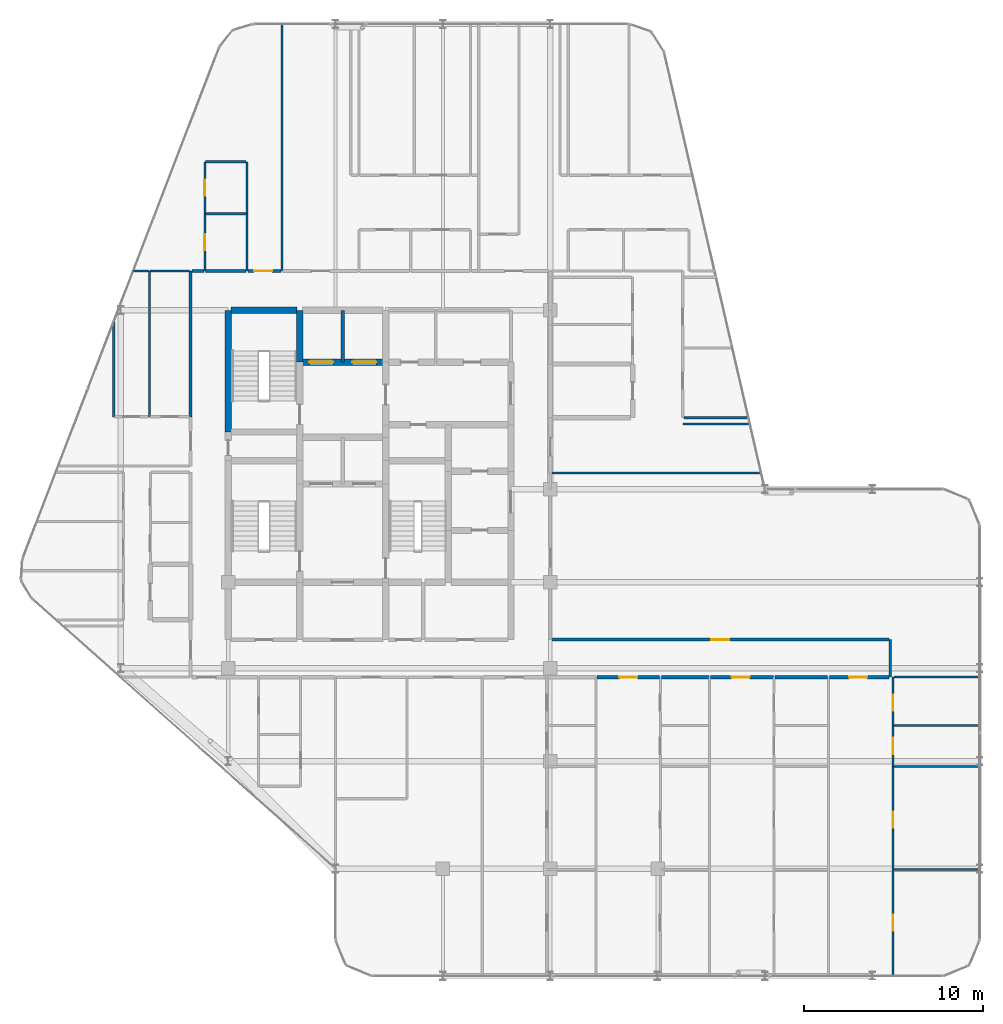
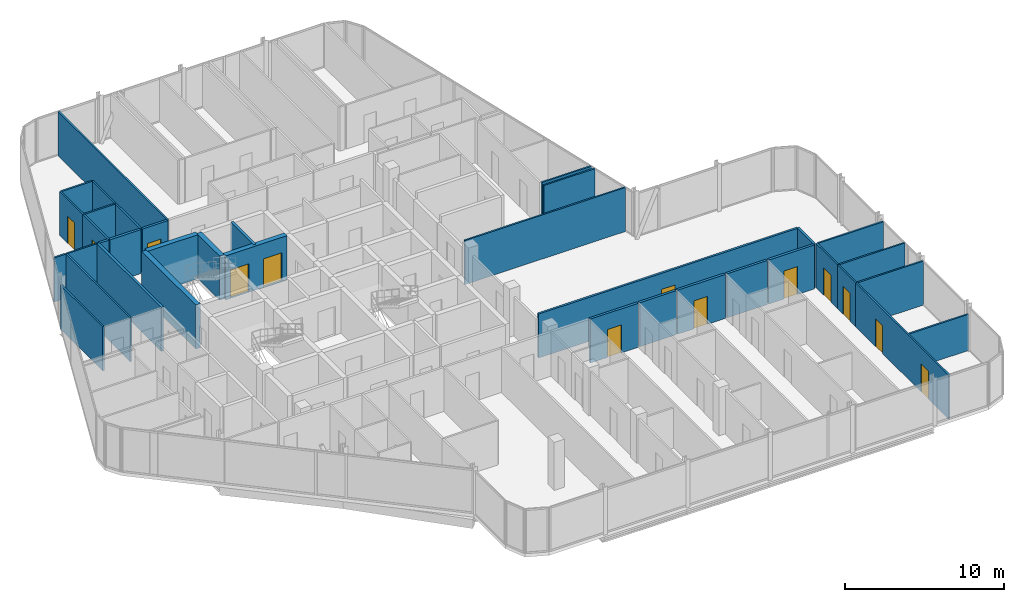
# One storey, part 26 of 29: 37 walls, 13 doors, 13 openings.
"""IFC4 building model written with IfcOpenShell, lengths in metres."""

from ifc_helpers import new_model, si_unit, direction, frame, frame_2d, origin, place, context, subcontext, project, spatial, rectangle, extrude, material, layer, layer_set, type_object, element, fill, save


model = new_model("IFC4")

# Units and contexts
model_context = context("Model", 3, precision=1e-05, world=origin(), true_north=direction((0.0, 1.0)))
body_context = subcontext(model_context, "Body", "Model", "MODEL_VIEW")
ifc_project = project(units=[si_unit("LENGTHUNIT", "METRE"), si_unit("AREAUNIT", "SQUARE_METRE"), si_unit("VOLUMEUNIT", "CUBIC_METRE"), si_unit("PLANEANGLEUNIT", "RADIAN"), si_unit("MASSUNIT", "GRAM", prefix="KILO")], contexts=[model_context])

# Site, building, storey
site_placement = place(None, origin())
site = spatial("IfcSite", under=ifc_project, at=site_placement, CompositionType="ELEMENT")
building_placement = place(site_placement, origin())
building = spatial("IfcBuilding", under=site, at=building_placement, Name="Keshet Zoharim Tower", CompositionType="ELEMENT")
storey_placement = place(building_placement, frame((0.0, 0.0, 222.800048828125)))
storey = spatial("IfcBuildingStorey", under=building, at=storey_placement, Name="L55", CompositionType="ELEMENT", Elevation=222.800048828125)

# Wall
ifc_material_1 = material(Name="Gypsum Plasterboard", Category="gypsum")
ifc_layer_1 = layer(ifc_material_1, 0.14990234375)
ifc_layer_set_1 = layer_set([ifc_layer_1], Name="Gypsum Plasterboard")
wall_type_1 = type_object("IfcWallType", Name="WL-CLIN-150", PredefinedType="STANDARD", material=ifc_layer_set_1)
wall_1_placement = place(storey_placement, frame((52.0, 17.409912109375, 0.0), z_axis=(0.0, 0.0, 1.0), x_axis=(0.0, 1.0, 0.0)))
element("IfcWall", 1, at=wall_1_placement, inside=storey, type_object=wall_type_1, Name="L55 Interior Wall 101", PredefinedType="STANDARD", context=body_context, shape_type="SweptSolid", body=[
    extrude(rectangle(XDim=2.090087890625, YDim=0.14990234375, at=frame_2d((1.044921875, 0.0))), origin(), (0.0, 0.0, 1.0), 3.389892578125),
])

# Wall, opening, door
wall_2_placement = place(storey_placement, frame((33.070068359375, 19.5, 0.0), z_axis=(0.0, 0.0, 1.0), x_axis=(1.0, 0.0, 0.0)))
wall_2 = element("IfcWall", 2, at=wall_2_placement, inside=storey, type_object=wall_type_1, Name="L55 Interior Wall 138", PredefinedType="STANDARD", context=body_context, shape_type="SweptSolid", body=[
    extrude(rectangle(XDim=18.869873046875, YDim=0.14990234375, at=frame_2d((9.43505859375, 0.0))), origin(), (0.0, 0.0, 1.0), 3.389892578125),
])
opening_1_placement = place(wall_2_placement, frame((8.93505859375, 0.0, 0.0)))
opening_1 = element("IfcOpeningElement", 3, at=opening_1_placement, cuts=wall_2, Name="Opening D-F310", PredefinedType="OPENING", context=body_context, shape_type="SweptSolid", body=[
    extrude(rectangle(XDim=1.0, YDim=2.14990234375, at=frame_2d((0.5, 1.074951171875))), frame((0.0, 0.0849609375, 0.0), z_axis=(0.0, -1.0, 0.0), x_axis=(1.0, 0.0, 0.0)), (0.0, 0.0, 1.0), 0.169921875),
])
ifc_material_2 = material(Name="Hardwood Timber", Category="wood")
door_type_1 = type_object("IfcDoorType", Name="DR-FD30-100", OperationType="NOTDEFINED", PredefinedType="DOOR", material=ifc_material_2)
door_1_placement = place(opening_1_placement, origin())
door_1 = element("IfcDoor", 4, at=door_1_placement, inside=storey, type_object=door_type_1, Name="L55 South East Residents Services Suite Door 1", OperationType="SINGLE_SWING_LEFT", OverallHeight=2.14990234375, OverallWidth=1.0, PredefinedType="DOOR", context=body_context, shape_type="SweptSolid", body=[
    extrude(rectangle(XDim=1.0, YDim=2.14990234375, at=frame_2d((0.5, 1.074951171875))), frame((0.0, 0.02490234375, 0.0), z_axis=(0.0, -1.0, 0.0), x_axis=(1.0, 0.0, 0.0)), (0.0, 0.0, 1.0), 0.050048828125),
])
fill(opening_1, door_1)

# Walls
ifc_material_3 = material(Name="Concrete C60/75", Category="concrete")
ifc_layer_2 = layer(ifc_material_3, 0.35009765625)
ifc_layer_set_2 = layer_set([ifc_layer_2], Name="Concrete C60/75")
wall_type_2 = type_object("IfcWallType", Name="WL-CORE-350", PredefinedType="SHEAR", material=ifc_layer_set_2)
wall_3_placement = place(storey_placement, frame((15.0, 31.10009765625, 0.0), z_axis=(0.0, 0.0, 1.0), x_axis=(0.0, 1.0, 0.0)))
element("IfcWall", 5, at=wall_3_placement, inside=storey, type_object=wall_type_2, Name="L55 Core Shear Wall 018", PredefinedType="SHEAR", context=body_context, shape_type="SweptSolid", body=[
    extrude(rectangle(XDim=6.7998046875, YDim=0.35009765625, at=frame_2d((3.39990234375, 0.0))), origin(), (0.0, 0.0, 1.0), 3.389892578125),
])
wall_4_placement = place(storey_placement, frame((19.0, 35.0, 0.0), z_axis=(0.0, 0.0, 1.0), x_axis=(0.0, 1.0, 0.0)))
element("IfcWall", 6, at=wall_4_placement, inside=storey, type_object=wall_type_2, Name="L55 Core Shear Wall 028", PredefinedType="SHEAR", context=body_context, shape_type="SweptSolid", body=[
    extrude(rectangle(XDim=2.89990234375, YDim=0.35009765625, at=frame_2d((1.449951171875, 0.0))), origin(), (0.0, 0.0, 1.0), 3.389892578125),
])

# Wall, openings, doors
wall_5_placement = place(storey_placement, frame((19.159912109375, 35.0, 0.0), z_axis=(0.0, 0.0, 1.0), x_axis=(1.0, 0.0, 0.0)))
wall_5 = element("IfcWall", 7, at=wall_5_placement, inside=storey, type_object=wall_type_2, Name="L55 Core Shear Wall 170", PredefinedType="SHEAR", context=body_context, shape_type="SweptSolid", body=[
    extrude(rectangle(XDim=4.47998046875, YDim=0.35009765625, at=frame_2d((2.239990234375, 0.0))), origin(), (0.0, 0.0, 1.0), 3.389892578125),
])
opening_2_placement = place(wall_5_placement, frame((0.364990234375, 0.0, 0.0)))
opening_2 = element("IfcOpeningElement", 8, at=opening_2_placement, cuts=wall_5, Name="Opening LD-02", PredefinedType="OPENING", context=body_context, shape_type="SweptSolid", body=[
    extrude(rectangle(XDim=1.35009765625, YDim=2.199951171875, at=frame_2d((0.675048828125, 1.10009765625))), frame((0.0, 0.18505859375, 0.0), z_axis=(0.0, -1.0, 0.0), x_axis=(1.0, 0.0, 0.0)), (0.0, 0.0, 1.0), 0.3701171875),
])
opening_3_placement = place(wall_5_placement, frame((2.764892578125, 0.0, 0.0)))
opening_3 = element("IfcOpeningElement", 9, at=opening_3_placement, cuts=wall_5, Name="Opening LD-02", PredefinedType="OPENING", context=body_context, shape_type="SweptSolid", body=[
    extrude(rectangle(XDim=1.35009765625, YDim=2.199951171875, at=frame_2d((0.675048828125, 1.10009765625))), frame((0.0, 0.18505859375, 0.0), z_axis=(0.0, -1.0, 0.0), x_axis=(1.0, 0.0, 0.0)), (0.0, 0.0, 1.0), 0.3701171875),
])
ifc_material_4 = material(Name="Steel S355", Category="steel")
door_type_2 = type_object("IfcDoorType", Name="DR-LD02-135", OperationType="DOUBLE_DOOR_SLIDING", PredefinedType="DOOR", material=ifc_material_4)
door_2_placement = place(opening_2_placement, origin())
door_2 = element("IfcDoor", 10, at=door_2_placement, inside=storey, type_object=door_type_2, Name="L55 Firefighting Lift Landing Door FF-01", OperationType="DOUBLE_DOOR_SLIDING", OverallHeight=2.199951171875, OverallWidth=1.35009765625, PredefinedType="DOOR", context=body_context, shape_type="SweptSolid", body=[
    extrude(rectangle(XDim=1.35009765625, YDim=2.199951171875, at=frame_2d((0.675048828125, 1.10009765625))), frame((0.0, 0.02490234375, 0.0), z_axis=(0.0, -1.0, 0.0), x_axis=(1.0, 0.0, 0.0)), (0.0, 0.0, 1.0), 0.050048828125),
])
fill(opening_2, door_2)
door_3_placement = place(opening_3_placement, origin())
door_3 = element("IfcDoor", 11, at=door_3_placement, inside=storey, type_object=door_type_2, Name="L55 Firefighting Lift Landing Door FF-02", OperationType="DOUBLE_DOOR_SLIDING", OverallHeight=2.199951171875, OverallWidth=1.35009765625, PredefinedType="DOOR", context=body_context, shape_type="SweptSolid", body=[
    extrude(rectangle(XDim=1.35009765625, YDim=2.199951171875, at=frame_2d((0.675048828125, 1.10009765625))), frame((0.0, 0.02490234375, 0.0), z_axis=(0.0, -1.0, 0.0), x_axis=(1.0, 0.0, 0.0)), (0.0, 0.0, 1.0), 0.050048828125),
])
fill(opening_3, door_3)

# Walls
wall_6_placement = place(storey_placement, frame((15.159912109375, 37.89990234375, 0.0), z_axis=(0.0, 0.0, 1.0), x_axis=(1.0, 0.0, 0.0)))
element("IfcWall", 12, at=wall_6_placement, inside=storey, type_object=wall_type_2, Name="L55 Core Shear Wall 175", PredefinedType="SHEAR", context=body_context, shape_type="SweptSolid", body=[
    extrude(rectangle(XDim=3.68017578125, YDim=0.35009765625, at=frame_2d((1.840087890625, 0.0))), origin(), (0.0, 0.0, 1.0), 3.389892578125),
])
ifc_layer_3 = layer(ifc_material_1, 0.179931640625)
ifc_layer_set_3 = layer_set([ifc_layer_3], Name="Gypsum Plasterboard")
wall_type_3 = type_object("IfcWallType", Name="WL-CORR-180", PredefinedType="STANDARD", material=ifc_layer_set_3)
wall_7_placement = place(storey_placement, frame((12.89990234375, 31.949951171875, 0.0), z_axis=(0.0, 0.0, 1.0), x_axis=(0.0, 1.0, 0.0)))
element("IfcWall", 13, at=wall_7_placement, inside=storey, type_object=wall_type_3, Name="L55 Interior Wall 012", PredefinedType="STANDARD", context=body_context, shape_type="SweptSolid", body=[
    extrude(rectangle(XDim=8.150146484375, YDim=0.179931640625, at=frame_2d((4.0751953125, 0.0))), origin(), (0.0, 0.0, 1.0), 3.389892578125),
])

# Wall, opening, door
wall_8_placement = place(storey_placement, frame((35.60498046875, 17.39990234375, 0.0), z_axis=(0.0, 0.0, 1.0), x_axis=(1.0, 0.0, 0.0)))
wall_8 = element("IfcWall", 14, at=wall_8_placement, inside=storey, type_object=wall_type_3, Name="L55 Interior Wall 128", PredefinedType="STANDARD", context=body_context, shape_type="SweptSolid", body=[
    extrude(rectangle(XDim=3.510009765625, YDim=0.179931640625, at=frame_2d((1.7548828125, 0.0))), origin(), (0.0, 0.0, 1.0), 3.389892578125),
])
opening_4_placement = place(wall_8_placement, frame((1.2548828125, 0.0, 0.0)))
opening_4 = element("IfcOpeningElement", 15, at=opening_4_placement, cuts=wall_8, Name="Opening D-F310", PredefinedType="OPENING", context=body_context, shape_type="SweptSolid", body=[
    extrude(rectangle(XDim=1.0, YDim=2.14990234375, at=frame_2d((0.5, 1.074951171875))), frame((0.0, 0.10009765625, 0.0), z_axis=(0.0, -1.0, 0.0), x_axis=(1.0, 0.0, 0.0)), (0.0, 0.0, 1.0), 0.199951171875),
])
door_4_placement = place(opening_4_placement, origin())
door_4 = element("IfcDoor", 16, at=door_4_placement, inside=storey, type_object=door_type_1, Name="Apartment 5503 Entrance Door", OperationType="SINGLE_SWING_RIGHT", OverallHeight=2.14990234375, OverallWidth=1.0, PredefinedType="DOOR", context=body_context, shape_type="SweptSolid", body=[
    extrude(rectangle(XDim=1.0, YDim=2.14990234375, at=frame_2d((0.5, 1.074951171875))), frame((0.0, 0.02490234375, 0.0), z_axis=(0.0, -1.0, 0.0), x_axis=(1.0, 0.0, 0.0)), (0.0, 0.0, 1.0), 0.050048828125),
])
fill(opening_4, door_4)

# Wall
wall_9_placement = place(storey_placement, frame((39.205078125, 17.39990234375, 0.0), z_axis=(0.0, 0.0, 1.0), x_axis=(1.0, 0.0, 0.0)))
element("IfcWall", 17, at=wall_9_placement, inside=storey, type_object=wall_type_3, Name="L55 Interior Wall 129", PredefinedType="STANDARD", context=body_context, shape_type="SweptSolid", body=[
    extrude(rectangle(XDim=2.659912109375, YDim=0.179931640625, at=frame_2d((1.330078125, 0.0))), origin(), (0.0, 0.0, 1.0), 3.389892578125),
])

# Wall, opening, door
wall_10_placement = place(storey_placement, frame((41.955078125, 17.39990234375, 0.0), z_axis=(0.0, 0.0, 1.0), x_axis=(1.0, 0.0, 0.0)))
wall_10 = element("IfcWall", 18, at=wall_10_placement, inside=storey, type_object=wall_type_3, Name="L55 Interior Wall 130", PredefinedType="STANDARD", context=body_context, shape_type="SweptSolid", body=[
    extrude(rectangle(XDim=3.510009765625, YDim=0.179931640625, at=frame_2d((1.7548828125, 0.0))), origin(), (0.0, 0.0, 1.0), 3.389892578125),
])
opening_5_placement = place(wall_10_placement, frame((1.18505859375, 0.0, 0.0)))
opening_5 = element("IfcOpeningElement", 19, at=opening_5_placement, cuts=wall_10, Name="Opening D-F310", PredefinedType="OPENING", context=body_context, shape_type="SweptSolid", body=[
    extrude(rectangle(XDim=1.0, YDim=2.14990234375, at=frame_2d((0.5, 1.074951171875))), frame((0.0, 0.10009765625, 0.0), z_axis=(0.0, -1.0, 0.0), x_axis=(1.0, 0.0, 0.0)), (0.0, 0.0, 1.0), 0.199951171875),
])
door_5_placement = place(opening_5_placement, origin())
door_5 = element("IfcDoor", 20, at=door_5_placement, inside=storey, type_object=door_type_1, Name="Apartment 5504 Entrance Door", OperationType="SINGLE_SWING_LEFT", OverallHeight=2.14990234375, OverallWidth=1.0, PredefinedType="DOOR", context=body_context, shape_type="SweptSolid", body=[
    extrude(rectangle(XDim=1.0, YDim=2.14990234375, at=frame_2d((0.5, 1.074951171875))), frame((0.0, 0.02490234375, 0.0), z_axis=(0.0, -1.0, 0.0), x_axis=(1.0, 0.0, 0.0)), (0.0, 0.0, 1.0), 0.050048828125),
])
fill(opening_5, door_5)

# Wall
wall_11_placement = place(storey_placement, frame((45.554931640625, 17.39990234375, 0.0), z_axis=(0.0, 0.0, 1.0), x_axis=(1.0, 0.0, 0.0)))
element("IfcWall", 21, at=wall_11_placement, inside=storey, type_object=wall_type_3, Name="L55 Interior Wall 131", PredefinedType="STANDARD", context=body_context, shape_type="SweptSolid", body=[
    extrude(rectangle(XDim=2.949951171875, YDim=0.179931640625, at=frame_2d((1.47509765625, 0.0))), origin(), (0.0, 0.0, 1.0), 3.389892578125),
])

# Wall, opening, door
wall_12_placement = place(storey_placement, frame((48.594970703125, 17.39990234375, 0.0), z_axis=(0.0, 0.0, 1.0), x_axis=(1.0, 0.0, 0.0)))
wall_12 = element("IfcWall", 22, at=wall_12_placement, inside=storey, type_object=wall_type_3, Name="L55 Interior Wall 132", PredefinedType="STANDARD", context=body_context, shape_type="SweptSolid", body=[
    extrude(rectangle(XDim=3.344970703125, YDim=0.179931640625, at=frame_2d((1.67236328125, 0.0))), origin(), (0.0, 0.0, 1.0), 3.389892578125),
])
opening_6_placement = place(wall_12_placement, frame((1.10595703125, 0.0, 0.0)))
opening_6 = element("IfcOpeningElement", 23, at=opening_6_placement, cuts=wall_12, Name="Opening D-F310", PredefinedType="OPENING", context=body_context, shape_type="SweptSolid", body=[
    extrude(rectangle(XDim=1.0, YDim=2.14990234375, at=frame_2d((0.5, 1.074951171875))), frame((0.0, 0.10009765625, 0.0), z_axis=(0.0, -1.0, 0.0), x_axis=(1.0, 0.0, 0.0)), (0.0, 0.0, 1.0), 0.199951171875),
])
door_6_placement = place(opening_6_placement, origin())
door_6 = element("IfcDoor", 24, at=door_6_placement, inside=storey, type_object=door_type_1, Name="Apartment 5505 Entrance Door", OperationType="SINGLE_SWING_RIGHT", OverallHeight=2.14990234375, OverallWidth=1.0, PredefinedType="DOOR", context=body_context, shape_type="SweptSolid", body=[
    extrude(rectangle(XDim=1.0, YDim=2.14990234375, at=frame_2d((0.5, 1.074951171875))), frame((0.0, 0.02490234375, 0.0), z_axis=(0.0, -1.0, 0.0), x_axis=(1.0, 0.0, 0.0)), (0.0, 0.0, 1.0), 0.050048828125),
])
fill(opening_6, door_6)

# Walls
wall_13_placement = place(storey_placement, frame((12.97509765625, 40.10009765625, 0.0), z_axis=(0.0, 0.0, 1.0), x_axis=(1.0, 0.0, 0.0)))
element("IfcWall", 25, at=wall_13_placement, inside=storey, type_object=wall_type_3, Name="L55 Interior Wall 183", PredefinedType="STANDARD", context=body_context, shape_type="SweptSolid", body=[
    extrude(rectangle(XDim=0.679931640625, YDim=0.179931640625, at=frame_2d((0.33984375, 0.0))), origin(), (0.0, 0.0, 1.0), 3.389892578125),
])
wall_14_placement = place(storey_placement, frame((13.7451171875, 40.10009765625, 0.0), z_axis=(0.0, 0.0, 1.0), x_axis=(1.0, 0.0, 0.0)))
element("IfcWall", 26, at=wall_14_placement, inside=storey, type_object=wall_type_3, Name="L55 Interior Wall 184", PredefinedType="STANDARD", context=body_context, shape_type="SweptSolid", body=[
    extrude(rectangle(XDim=2.259765625, YDim=0.179931640625, at=frame_2d((1.1298828125, 0.0))), origin(), (0.0, 0.0, 1.0), 3.389892578125),
])

# Wall, opening, door
wall_15_placement = place(storey_placement, frame((16.094970703125, 40.10009765625, 0.0), z_axis=(0.0, 0.0, 1.0), x_axis=(1.0, 0.0, 0.0)))
wall_15 = element("IfcWall", 27, at=wall_15_placement, inside=storey, type_object=wall_type_3, Name="L55 Interior Wall 185", PredefinedType="STANDARD", context=body_context, shape_type="SweptSolid", body=[
    extrude(rectangle(XDim=1.860107421875, YDim=0.179931640625, at=frame_2d((0.93017578125, 0.0))), origin(), (0.0, 0.0, 1.0), 3.389892578125),
])
opening_7_placement = place(wall_15_placement, frame((0.35693359375, 0.0, 0.0)))
opening_7 = element("IfcOpeningElement", 28, at=opening_7_placement, cuts=wall_15, Name="Opening D-F310", PredefinedType="OPENING", context=body_context, shape_type="SweptSolid", body=[
    extrude(rectangle(XDim=1.0, YDim=2.14990234375, at=frame_2d((0.5, 1.074951171875))), frame((0.0, 0.10009765625, 0.0), z_axis=(0.0, -1.0, 0.0), x_axis=(1.0, 0.0, 0.0)), (0.0, 0.0, 1.0), 0.199951171875),
])
door_7_placement = place(opening_7_placement, origin())
door_7 = element("IfcDoor", 29, at=door_7_placement, inside=storey, type_object=door_type_1, Name="Apartment 5506 Entrance Door", OperationType="SINGLE_SWING_RIGHT", OverallHeight=2.14990234375, OverallWidth=1.0, PredefinedType="DOOR", context=body_context, shape_type="SweptSolid", body=[
    extrude(rectangle(XDim=1.0, YDim=2.14990234375, at=frame_2d((0.5, 1.074951171875))), frame((0.0, 0.02490234375, 0.0), z_axis=(0.0, -1.0, 0.0), x_axis=(1.0, 0.0, 0.0)), (0.0, 0.0, 1.0), 0.050048828125),
])
fill(opening_7, door_7)

# Walls
ifc_material_5 = material(Name="Concrete C50/60", Category="concrete")
ifc_layer_4 = layer(ifc_material_5, 0.199951171875)
ifc_layer_set_4 = layer_set([ifc_layer_4], Name="Concrete C50/60")
wall_type_4 = type_object("IfcWallType", Name="WL-FIRE-200", PredefinedType="STANDARD", material=ifc_layer_set_4)
wall_16_placement = place(storey_placement, frame((21.39990234375, 35.0, 0.0), z_axis=(0.0, 0.0, 1.0), x_axis=(0.0, 1.0, 0.0)))
element("IfcWall", 30, at=wall_16_placement, inside=storey, type_object=wall_type_4, Name="L55 Interior Wall 034", PredefinedType="STANDARD", context=body_context, shape_type="SweptSolid", body=[
    extrude(rectangle(XDim=2.89990234375, YDim=0.199951171875, at=frame_2d((1.449951171875, 0.0))), origin(), (0.0, 0.0, 1.0), 3.389892578125),
])
ifc_layer_5 = layer(ifc_material_1, 0.1201171875)
ifc_layer_set_5 = layer_set([ifc_layer_5], Name="Gypsum Plasterboard")
wall_type_5 = type_object("IfcWallType", Name="WL-PART-120", PredefinedType="PARTITIONING", material=ifc_layer_set_5)
wall_17_placement = place(storey_placement, frame((8.60009765625, 31.949951171875, 0.0), z_axis=(0.0, 0.0, 1.0), x_axis=(0.0, 1.0, 0.0)))
element("IfcWall", 31, at=wall_17_placement, inside=storey, type_object=wall_type_5, Name="L55 Interior Wall 001", PredefinedType="PARTITIONING", context=body_context, shape_type="SweptSolid", body=[
    extrude(rectangle(XDim=5.300048828125, YDim=0.1201171875, at=frame_2d((2.64990234375, 0.0))), origin(), (0.0, 0.0, 1.0), 3.389892578125),
])

# Wall, opening, door
wall_18_placement = place(storey_placement, frame((13.699951171875, 40.10009765625, 0.0), z_axis=(0.0, 0.0, 1.0), x_axis=(0.0, 1.0, 0.0)))
wall_18 = element("IfcWall", 32, at=wall_18_placement, inside=storey, type_object=wall_type_5, Name="L55 Interior Wall 013", PredefinedType="PARTITIONING", context=body_context, shape_type="SweptSolid", body=[
    extrude(rectangle(XDim=3.199951171875, YDim=0.1201171875, at=frame_2d((1.60009765625, 0.0))), origin(), (0.0, 0.0, 1.0), 3.389892578125),
])
opening_8_placement = place(wall_18_placement, frame((1.14990234375, 0.0, 0.0)))
opening_8 = element("IfcOpeningElement", 33, at=opening_8_placement, cuts=wall_18, Name="Opening D-IN90", PredefinedType="OPENING", context=body_context, shape_type="SweptSolid", body=[
    extrude(rectangle(XDim=0.89990234375, YDim=2.14990234375, at=frame_2d((0.449951171875, 1.074951171875))), frame((0.0, 0.070068359375, 0.0), z_axis=(0.0, -1.0, 0.0), x_axis=(1.0, 0.0, 0.0)), (0.0, 0.0, 1.0), 0.14013671875),
])
door_type_3 = type_object("IfcDoorType", Name="DR-INT-090", OperationType="NOTDEFINED", PredefinedType="DOOR", material=ifc_material_2)
door_8_placement = place(opening_8_placement, origin())
door_8 = element("IfcDoor", 34, at=door_8_placement, inside=storey, type_object=door_type_3, Name="Apartment 5506 Kitchenette Door", OperationType="SINGLE_SWING_RIGHT", OverallHeight=2.14990234375, OverallWidth=0.89990234375, PredefinedType="DOOR", context=body_context, shape_type="SweptSolid", body=[
    extrude(rectangle(XDim=0.89990234375, YDim=2.14990234375, at=frame_2d((0.449951171875, 1.074951171875))), frame((0.0, 0.02490234375, 0.0), z_axis=(0.0, -1.0, 0.0), x_axis=(1.0, 0.0, 0.0)), (0.0, 0.0, 1.0), 0.050048828125),
])
fill(opening_8, door_8)

# Walls
wall_19_placement = place(storey_placement, frame((16.050048828125, 40.10009765625, 0.0), z_axis=(0.0, 0.0, 1.0), x_axis=(0.0, 1.0, 0.0)))
element("IfcWall", 35, at=wall_19_placement, inside=storey, type_object=wall_type_5, Name="L55 Interior Wall 019", PredefinedType="PARTITIONING", context=body_context, shape_type="SweptSolid", body=[
    extrude(rectangle(XDim=3.199951171875, YDim=0.1201171875, at=frame_2d((1.60009765625, 0.0))), origin(), (0.0, 0.0, 1.0), 3.389892578125),
])
wall_20_placement = place(storey_placement, frame((18.0, 40.10009765625, 0.0), z_axis=(0.0, 0.0, 1.0), x_axis=(0.0, 1.0, 0.0)))
element("IfcWall", 36, at=wall_20_placement, inside=storey, type_object=wall_type_5, Name="L55 Interior Wall 023", PredefinedType="PARTITIONING", context=body_context, shape_type="SweptSolid", body=[
    extrude(rectangle(XDim=13.789794921875, YDim=0.1201171875, at=frame_2d((6.89501953125, 0.0))), origin(), (0.0, 0.0, 1.0), 3.389892578125),
])

# Wall, openings, doors
wall_21_placement = place(storey_placement, frame((52.14990234375, 0.7099609375, 0.0), z_axis=(0.0, 0.0, 1.0), x_axis=(0.0, 1.0, 0.0)))
wall_21 = element("IfcWall", 37, at=wall_21_placement, inside=storey, type_object=wall_type_5, Name="L55 Interior Wall 102", PredefinedType="PARTITIONING", context=body_context, shape_type="SweptSolid", body=[
    extrude(rectangle(XDim=11.68994140625, YDim=0.1201171875, at=frame_2d((5.844970703125, 0.0))), origin(), (0.0, 0.0, 1.0), 3.389892578125),
])
opening_9_placement = place(wall_21_placement, frame((2.513916015625, 0.0, 0.0)))
opening_9 = element("IfcOpeningElement", 38, at=opening_9_placement, cuts=wall_21, Name="Opening D-IN90", PredefinedType="OPENING", context=body_context, shape_type="SweptSolid", body=[
    extrude(rectangle(XDim=0.89990234375, YDim=2.14990234375, at=frame_2d((0.449951171875, 1.074951171875))), frame((0.0, 0.070068359375, 0.0), z_axis=(0.0, -1.0, 0.0), x_axis=(1.0, 0.0, 0.0)), (0.0, 0.0, 1.0), 0.14013671875),
])
opening_10_placement = place(wall_21_placement, frame((8.280029296875, 0.0, 0.0)))
opening_10 = element("IfcOpeningElement", 39, at=opening_10_placement, cuts=wall_21, Name="Opening D-IN90", PredefinedType="OPENING", context=body_context, shape_type="SweptSolid", body=[
    extrude(rectangle(XDim=0.89990234375, YDim=2.14990234375, at=frame_2d((0.449951171875, 1.074951171875))), frame((0.0, 0.070068359375, 0.0), z_axis=(0.0, -1.0, 0.0), x_axis=(1.0, 0.0, 0.0)), (0.0, 0.0, 1.0), 0.14013671875),
])
door_9_placement = place(opening_9_placement, origin())
door_9 = element("IfcDoor", 40, at=door_9_placement, inside=storey, type_object=door_type_3, Name="Apartment 5505 Bedroom 1 Door", OperationType="SINGLE_SWING_RIGHT", OverallHeight=2.14990234375, OverallWidth=0.89990234375, PredefinedType="DOOR", context=body_context, shape_type="SweptSolid", body=[
    extrude(rectangle(XDim=0.89990234375, YDim=2.14990234375, at=frame_2d((0.449951171875, 1.074951171875))), frame((0.0, 0.02490234375, 0.0), z_axis=(0.0, -1.0, 0.0), x_axis=(1.0, 0.0, 0.0)), (0.0, 0.0, 1.0), 0.050048828125),
])
fill(opening_9, door_9)
door_10_placement = place(opening_10_placement, origin())
door_10 = element("IfcDoor", 41, at=door_10_placement, inside=storey, type_object=door_type_3, Name="Apartment 5505 Bedroom 2 Door", OperationType="SINGLE_SWING_LEFT", OverallHeight=2.14990234375, OverallWidth=0.89990234375, PredefinedType="DOOR", context=body_context, shape_type="SweptSolid", body=[
    extrude(rectangle(XDim=0.89990234375, YDim=2.14990234375, at=frame_2d((0.449951171875, 1.074951171875))), frame((0.0, 0.02490234375, 0.0), z_axis=(0.0, -1.0, 0.0), x_axis=(1.0, 0.0, 0.0)), (0.0, 0.0, 1.0), 0.050048828125),
])
fill(opening_10, door_10)

# Wall, opening, door
wall_22_placement = place(storey_placement, frame((52.14990234375, 12.39990234375, 0.0), z_axis=(0.0, 0.0, 1.0), x_axis=(0.0, 1.0, 0.0)))
wall_22 = element("IfcWall", 42, at=wall_22_placement, inside=storey, type_object=wall_type_5, Name="L55 Interior Wall 103", PredefinedType="PARTITIONING", context=body_context, shape_type="SweptSolid", body=[
    extrude(rectangle(XDim=2.300048828125, YDim=0.1201171875, at=frame_2d((1.14990234375, 0.0))), origin(), (0.0, 0.0, 1.0), 3.389892578125),
])
opening_11_placement = place(wall_22_placement, frame((0.699951171875, 0.0, 0.0)))
opening_11 = element("IfcOpeningElement", 43, at=opening_11_placement, cuts=wall_22, Name="Opening D-IN90", PredefinedType="OPENING", context=body_context, shape_type="SweptSolid", body=[
    extrude(rectangle(XDim=0.89990234375, YDim=2.14990234375, at=frame_2d((0.449951171875, 1.074951171875))), frame((0.0, 0.070068359375, 0.0), z_axis=(0.0, -1.0, 0.0), x_axis=(1.0, 0.0, 0.0)), (0.0, 0.0, 1.0), 0.14013671875),
])
door_11_placement = place(opening_11_placement, origin())
door_11 = element("IfcDoor", 44, at=door_11_placement, inside=storey, type_object=door_type_3, Name="Apartment 5505 Kitchen Door", OperationType="SINGLE_SWING_RIGHT", OverallHeight=2.14990234375, OverallWidth=0.89990234375, PredefinedType="DOOR", context=body_context, shape_type="SweptSolid", body=[
    extrude(rectangle(XDim=0.89990234375, YDim=2.14990234375, at=frame_2d((0.449951171875, 1.074951171875))), frame((0.0, 0.02490234375, 0.0), z_axis=(0.0, -1.0, 0.0), x_axis=(1.0, 0.0, 0.0)), (0.0, 0.0, 1.0), 0.050048828125),
])
fill(opening_11, door_11)

# Walls
wall_23_placement = place(storey_placement, frame((52.195068359375, 6.64990234375, 0.0), z_axis=(0.0, 0.0, 1.0), x_axis=(1.0, 0.0, 0.0)))
element("IfcWall", 45, at=wall_23_placement, inside=storey, type_object=wall_type_5, Name="L55 Interior Wall 108", PredefinedType="PARTITIONING", context=body_context, shape_type="SweptSolid", body=[
    extrude(rectangle(XDim=4.794921875, YDim=0.1201171875, at=frame_2d((2.3974609375, 0.0))), origin(), (0.0, 0.0, 1.0), 2.7900390625),
])
wall_24_placement = place(storey_placement, frame((52.195068359375, 12.39990234375, 0.0), z_axis=(0.0, 0.0, 1.0), x_axis=(1.0, 0.0, 0.0)))
element("IfcWall", 46, at=wall_24_placement, inside=storey, type_object=wall_type_5, Name="L55 Interior Wall 114", PredefinedType="PARTITIONING", context=body_context, shape_type="SweptSolid", body=[
    extrude(rectangle(XDim=4.794921875, YDim=0.1201171875, at=frame_2d((2.3974609375, 0.0))), origin(), (0.0, 0.0, 1.0), 3.389892578125),
])
wall_25_placement = place(storey_placement, frame((33.0849609375, 28.800048828125, 0.0), z_axis=(0.0, 0.0, 1.0), x_axis=(1.0, 0.0, 0.0)))
element("IfcWall", 47, at=wall_25_placement, inside=storey, type_object=wall_type_5, Name="L55 Interior Wall 153", PredefinedType="PARTITIONING", context=body_context, shape_type="SweptSolid", body=[
    extrude(rectangle(XDim=11.697021484375, YDim=0.1201171875, at=frame_2d((5.8486328125, 0.0))), origin(), (0.0, 0.0, 1.0), 3.389892578125),
])
wall_26_placement = place(storey_placement, frame((40.419921875, 31.550048828125, 0.0), z_axis=(0.0, 0.0, 1.0), x_axis=(1.0, 0.0, 0.0)))
element("IfcWall", 48, at=wall_26_placement, inside=storey, type_object=wall_type_5, Name="L55 Interior Wall 164", PredefinedType="PARTITIONING", context=body_context, shape_type="SweptSolid", body=[
    extrude(rectangle(XDim=3.72802734375, YDim=0.1201171875, at=frame_2d((1.864013671875, 0.0))), origin(), (0.0, 0.0, 1.0), 3.389892578125),
])
wall_27_placement = place(storey_placement, frame((40.465087890625, 31.89990234375, 0.0), z_axis=(0.0, 0.0, 1.0), x_axis=(1.0, 0.0, 0.0)))
element("IfcWall", 49, at=wall_27_placement, inside=storey, type_object=wall_type_5, Name="L55 Interior Wall 166", PredefinedType="PARTITIONING", context=body_context, shape_type="SweptSolid", body=[
    extrude(rectangle(XDim=3.601806640625, YDim=0.1201171875, at=frame_2d((1.80078125, 0.0))), origin(), (0.0, 0.0, 1.0), 3.389892578125),
])
wall_28_placement = place(storey_placement, frame((9.701904296875, 40.10009765625, 0.0), z_axis=(0.0, 0.0, 1.0), x_axis=(1.0, 0.0, 0.0)))
element("IfcWall", 50, at=wall_28_placement, inside=storey, type_object=wall_type_5, Name="L55 Interior Wall 181", PredefinedType="PARTITIONING", context=body_context, shape_type="SweptSolid", body=[
    extrude(rectangle(XDim=0.8310546875, YDim=0.1201171875, at=frame_2d((0.41552734375, 0.0))), origin(), (0.0, 0.0, 1.0), 3.389892578125),
])
ifc_layer_6 = layer(ifc_material_1, 0.1201171875)
ifc_layer_set_6 = layer_set([ifc_layer_6], Name="Gypsum Plasterboard")
wall_type_6 = type_object("IfcWallType", Name="WL-WET-120", PredefinedType="PARTITIONING", material=ifc_layer_set_6)
wall_29_placement = place(storey_placement, frame((10.60009765625, 31.949951171875, 0.0), z_axis=(0.0, 0.0, 1.0), x_axis=(0.0, 1.0, 0.0)))
element("IfcWall", 51, at=wall_29_placement, inside=storey, type_object=wall_type_6, Name="L55 Interior Wall 003", PredefinedType="PARTITIONING", context=body_context, shape_type="SweptSolid", body=[
    extrude(rectangle(XDim=8.150146484375, YDim=0.1201171875, at=frame_2d((4.0751953125, 0.0))), origin(), (0.0, 0.0, 1.0), 3.389892578125),
])

# Wall, opening, door
wall_30_placement = place(storey_placement, frame((13.699951171875, 43.300048828125, 0.0), z_axis=(0.0, 0.0, 1.0), x_axis=(0.0, 1.0, 0.0)))
wall_30 = element("IfcWall", 52, at=wall_30_placement, inside=storey, type_object=wall_type_6, Name="L55 Interior Wall 014", PredefinedType="PARTITIONING", context=body_context, shape_type="SweptSolid", body=[
    extrude(rectangle(XDim=2.89990234375, YDim=0.1201171875, at=frame_2d((1.449951171875, 0.0))), origin(), (0.0, 0.0, 1.0), 3.389892578125),
])
opening_12_placement = place(wall_30_placement, frame((1.0, 0.0, 0.0)))
opening_12 = element("IfcOpeningElement", 53, at=opening_12_placement, cuts=wall_30, Name="Opening D-WT90", PredefinedType="OPENING", context=body_context, shape_type="SweptSolid", body=[
    extrude(rectangle(XDim=0.89990234375, YDim=2.10009765625, at=frame_2d((0.449951171875, 1.050048828125))), frame((0.0, 0.070068359375, 0.0), z_axis=(0.0, -1.0, 0.0), x_axis=(1.0, 0.0, 0.0)), (0.0, 0.0, 1.0), 0.14013671875),
])
door_type_4 = type_object("IfcDoorType", Name="DR-WET-090", OperationType="NOTDEFINED", PredefinedType="DOOR", material=ifc_material_2)
door_12_placement = place(opening_12_placement, origin())
door_12 = element("IfcDoor", 54, at=door_12_placement, inside=storey, type_object=door_type_4, Name="Apartment 5506 Bathroom Door", OperationType="SINGLE_SWING_LEFT", OverallHeight=2.10009765625, OverallWidth=0.89990234375, PredefinedType="DOOR", context=body_context, shape_type="SweptSolid", body=[
    extrude(rectangle(XDim=0.89990234375, YDim=2.10009765625, at=frame_2d((0.449951171875, 1.050048828125))), frame((0.0, 0.02490234375, 0.0), z_axis=(0.0, -1.0, 0.0), x_axis=(1.0, 0.0, 0.0)), (0.0, 0.0, 1.0), 0.050048828125),
])
fill(opening_12, door_12)

# Wall
wall_31_placement = place(storey_placement, frame((16.050048828125, 43.300048828125, 0.0), z_axis=(0.0, 0.0, 1.0), x_axis=(0.0, 1.0, 0.0)))
element("IfcWall", 55, at=wall_31_placement, inside=storey, type_object=wall_type_6, Name="L55 Interior Wall 020", PredefinedType="PARTITIONING", context=body_context, shape_type="SweptSolid", body=[
    extrude(rectangle(XDim=2.89990234375, YDim=0.1201171875, at=frame_2d((1.449951171875, 0.0))), origin(), (0.0, 0.0, 1.0), 3.389892578125),
])

# Wall, opening, door
wall_32_placement = place(storey_placement, frame((52.14990234375, 14.699951171875, 0.0), z_axis=(0.0, 0.0, 1.0), x_axis=(0.0, 1.0, 0.0)))
wall_32 = element("IfcWall", 56, at=wall_32_placement, inside=storey, type_object=wall_type_6, Name="L55 Interior Wall 104", PredefinedType="PARTITIONING", context=body_context, shape_type="SweptSolid", body=[
    extrude(rectangle(XDim=2.699951171875, YDim=0.1201171875, at=frame_2d((1.35009765625, 0.0))), origin(), (0.0, 0.0, 1.0), 3.389892578125),
])
opening_13_placement = place(wall_32_placement, frame((0.827880859375, 0.0, 0.0)))
opening_13 = element("IfcOpeningElement", 57, at=opening_13_placement, cuts=wall_32, Name="Opening D-WT90", PredefinedType="OPENING", context=body_context, shape_type="SweptSolid", body=[
    extrude(rectangle(XDim=0.89990234375, YDim=2.10009765625, at=frame_2d((0.449951171875, 1.050048828125))), frame((0.0, 0.070068359375, 0.0), z_axis=(0.0, -1.0, 0.0), x_axis=(1.0, 0.0, 0.0)), (0.0, 0.0, 1.0), 0.14013671875),
])
door_13_placement = place(opening_13_placement, origin())
door_13 = element("IfcDoor", 58, at=door_13_placement, inside=storey, type_object=door_type_4, Name="Apartment 5505 Bathroom Door", OperationType="SINGLE_SWING_LEFT", OverallHeight=2.10009765625, OverallWidth=0.89990234375, PredefinedType="DOOR", context=body_context, shape_type="SweptSolid", body=[
    extrude(rectangle(XDim=0.89990234375, YDim=2.10009765625, at=frame_2d((0.449951171875, 1.050048828125))), frame((0.0, 0.02490234375, 0.0), z_axis=(0.0, -1.0, 0.0), x_axis=(1.0, 0.0, 0.0)), (0.0, 0.0, 1.0), 0.050048828125),
])
fill(opening_13, door_13)

# Walls
for number, where, z_axis, x_axis, name in (
    (59, (52.195068359375, 14.699951171875, 0.0), (0.0, 0.0, 1.0), (1.0, 0.0, 0.0), "L55 Interior Wall 119"),
    (60, (52.195068359375, 17.39990234375, 0.0), (0.0, 0.0, 1.0), (1.0, 0.0, 0.0), "L55 Interior Wall 133"),
):
    element("IfcWall", number, at=place(storey_placement, frame(where, z_axis=z_axis, x_axis=x_axis)), inside=storey, type_object=wall_type_6, Name=name, PredefinedType="PARTITIONING", context=body_context, shape_type="SweptSolid", body=[
        extrude(rectangle(XDim=4.794921875, YDim=0.1201171875, at=frame_2d((2.3974609375, 0.0))), origin(), (0.0, 0.0, 1.0), 3.389892578125),
    ])
wall_33_placement = place(storey_placement, frame((10.623046875, 40.10009765625, 0.0), z_axis=(0.0, 0.0, 1.0), x_axis=(1.0, 0.0, 0.0)))
element("IfcWall", 61, at=wall_33_placement, inside=storey, type_object=wall_type_6, Name="L55 Interior Wall 182", PredefinedType="PARTITIONING", context=body_context, shape_type="SweptSolid", body=[
    extrude(rectangle(XDim=2.201904296875, YDim=0.1201171875, at=frame_2d((1.10107421875, 0.0))), origin(), (0.0, 0.0, 1.0), 3.389892578125),
])
for number, where, z_axis, x_axis, name in (
    (62, (13.7451171875, 43.300048828125, 0.0), (0.0, 0.0, 1.0), (1.0, 0.0, 0.0), "L55 Interior Wall 199"),
    (63, (13.7451171875, 46.199951171875, 0.0), (0.0, 0.0, 1.0), (1.0, 0.0, 0.0), "L55 Interior Wall 205"),
):
    element("IfcWall", number, at=place(storey_placement, frame(where, z_axis=z_axis, x_axis=x_axis)), inside=storey, type_object=wall_type_6, Name=name, PredefinedType="PARTITIONING", context=body_context, shape_type="SweptSolid", body=[
        extrude(rectangle(XDim=2.259765625, YDim=0.1201171875, at=frame_2d((1.1298828125, 0.0))), origin(), (0.0, 0.0, 1.0), 3.389892578125),
    ])

save(model, "model.ifc")
